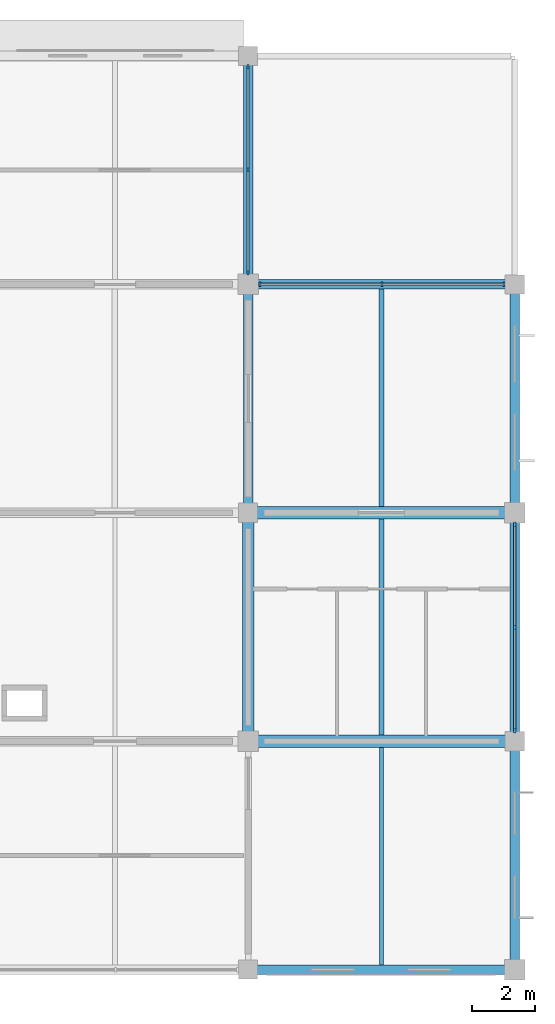
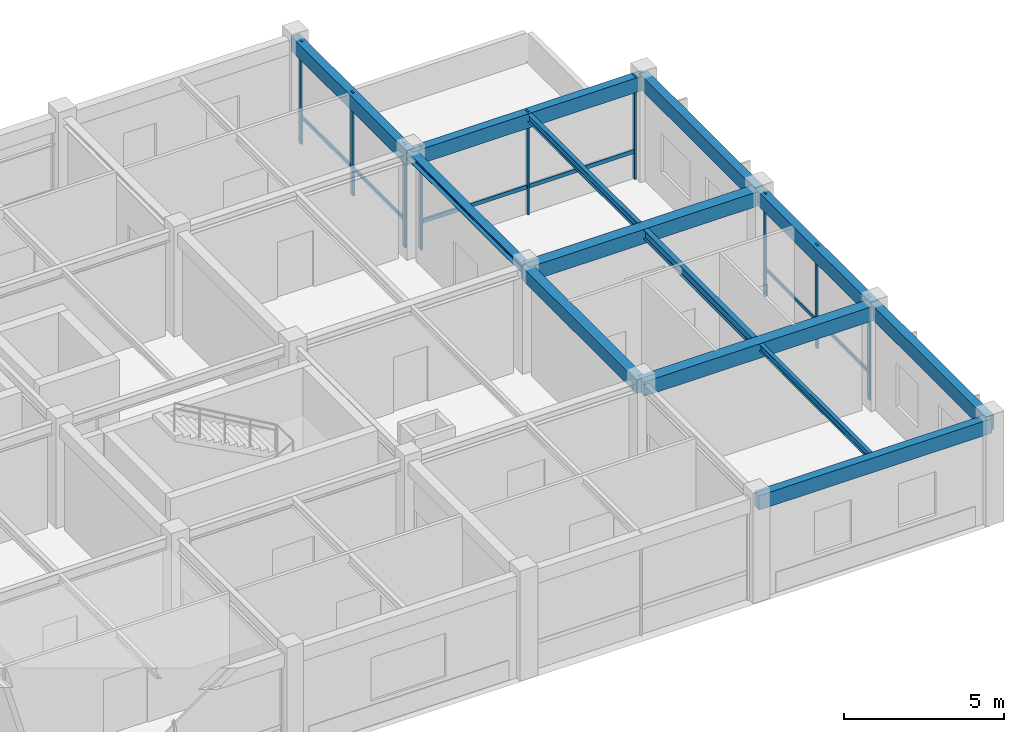
# One storey, part 6 of 13: 15 members, 13 beams, 3 elements without a shape of their own.
"""IFC4 building model written with IfcOpenShell, lengths in metres."""

from ifc_helpers import new_model, si_unit, derived_unit, direction, frame, origin, origin_2d, place, context, subcontext, project, spatial, rectangle, i_section, extrude, material, material_profile, profile_set, type_object, element, aggregate, save


model = new_model("IFC4")

# Units and contexts
model_context = context("Model", 3, precision=1e-05, world=origin(), true_north=direction((0.0, 1.0)))
body_context = subcontext(model_context, "Body", "Model", "MODEL_VIEW")
ifc_project = project(units=[si_unit("LENGTHUNIT", "METRE"), si_unit("AREAUNIT", "SQUARE_METRE"), si_unit("VOLUMEUNIT", "CUBIC_METRE"), si_unit("PLANEANGLEUNIT", "RADIAN"), si_unit("MASSUNIT", "GRAM", prefix="KILO"), derived_unit("THERMALTRANSMITTANCEUNIT", [(si_unit("MASSUNIT", "GRAM", prefix="KILO"), 1), (si_unit("TIMEUNIT", "SECOND"), -3), (si_unit("THERMODYNAMICTEMPERATUREUNIT", "KELVIN"), -1)])], contexts=[model_context])

# Site, building, storey
site_placement = place(None, origin())
site = spatial("IfcSite", under=ifc_project, at=site_placement, CompositionType="ELEMENT")
building_placement = place(site_placement, origin())
building = spatial("IfcBuilding", under=site, at=building_placement, Name="Veldstrom Oceanarium and Marine Research Institute", CompositionType="ELEMENT")
storey_placement = place(building_placement, frame((0.0, 0.0, 52.199951171875)))
storey = spatial("IfcBuildingStorey", under=building, at=storey_placement, Name="L11", CompositionType="ELEMENT", Elevation=52.199951171875)

# Curtain wall, members
ifc_material_1 = material(Name="Anodised Aluminium Framing", Category="aluminium")
curtain_wall_type_1 = type_object("IfcCurtainWallType", Name="ARC-CW-CW08", PredefinedType="USERDEFINED", material=ifc_material_1)
curtain_wall_1_placement = place(storey_placement, origin())
curtain_wall_1 = element("IfcCurtainWall", 1, at=curtain_wall_1_placement, inside=storey, type_object=curtain_wall_type_1, Name="Curtain Wall CW08 CW-L11-156", ObjectType="Curtain wall", PredefinedType="USERDEFINED")
ifc_material_2 = material(Name="Anodised Aluminium Framing", Category="aluminium")
ifc_material_profile_1 = material_profile(ifc_material_2, rectangle(XDim=0.06494140625, YDim=0.14990234375, at=origin_2d()), Name="ALU-MUL-65x150")
ifc_profile_set_1 = profile_set([ifc_material_profile_1], Name="Anodised Aluminium Framing")
member_type_1 = type_object("IfcMemberType", Name="ARC-MUL-ML2", PredefinedType="MULLION", material=ifc_profile_set_1)
member_1_placement = place(storey_placement, frame((109.199951171875, 65.1650390625, 0.0), z_axis=(0.0, 0.0, 1.0), x_axis=(1.0, 0.0, 0.0)))
member_1 = element("IfcMember", 2, at=member_1_placement, type_object=member_type_1, Name="Curtain Wall Mullion CW-L11-156-MUL-1", PredefinedType="MULLION", context=body_context, shape_type="SweptSolid", body=[
    extrude(rectangle(XDim=0.06494140625, YDim=0.14990234375, at=origin_2d()), origin(), (0.0, 0.0, 1.0), 3.920166015625),
])
member_2_placement = place(storey_placement, frame((109.199951171875, 68.41259765625, 0.0), z_axis=(0.0, 0.0, 1.0), x_axis=(1.0, 0.0, 0.0)))
member_2 = element("IfcMember", 3, at=member_2_placement, type_object=member_type_1, Name="Curtain Wall Mullion CW-L11-156-MUL-2", PredefinedType="MULLION", context=body_context, shape_type="SweptSolid", body=[
    extrude(rectangle(XDim=0.06494140625, YDim=0.14990234375, at=origin_2d()), origin(), (0.0, 0.0, 1.0), 3.920166015625),
])
member_3_placement = place(storey_placement, frame((109.199951171875, 71.659912109375, 0.0), z_axis=(0.0, 0.0, 1.0), x_axis=(1.0, 0.0, 0.0)))
member_3 = element("IfcMember", 4, at=member_3_placement, type_object=member_type_1, Name="Curtain Wall Mullion CW-L11-156-MUL-3", PredefinedType="MULLION", context=body_context, shape_type="SweptSolid", body=[
    extrude(rectangle(XDim=0.06494140625, YDim=0.14990234375, at=origin_2d()), origin(), (0.0, 0.0, 1.0), 3.920166015625),
])

curtain_wall_2_placement = place(storey_placement, origin())
curtain_wall_2 = element("IfcCurtainWall", 5, at=curtain_wall_2_placement, inside=storey, type_object=curtain_wall_type_1, Name="Curtain Wall CW08 CW-L11-157", ObjectType="Curtain wall", PredefinedType="USERDEFINED")
member_4_placement = place(storey_placement, frame((117.60009765625, 50.739990234375, 0.0), z_axis=(0.0, 0.0, 1.0), x_axis=(1.0, 0.0, 0.0)))
member_4 = element("IfcMember", 6, at=member_4_placement, type_object=member_type_1, Name="Curtain Wall Mullion CW-L11-157-MUL-1", PredefinedType="MULLION", context=body_context, shape_type="SweptSolid", body=[
    extrude(rectangle(XDim=0.06494140625, YDim=0.14990234375, at=origin_2d()), origin(), (0.0, 0.0, 1.0), 3.920166015625),
])
member_5_placement = place(storey_placement, frame((117.60009765625, 53.987548828125, 0.0), z_axis=(0.0, 0.0, 1.0), x_axis=(1.0, 0.0, 0.0)))
member_5 = element("IfcMember", 7, at=member_5_placement, type_object=member_type_1, Name="Curtain Wall Mullion CW-L11-157-MUL-2", PredefinedType="MULLION", context=body_context, shape_type="SweptSolid", body=[
    extrude(rectangle(XDim=0.06494140625, YDim=0.14990234375, at=origin_2d()), origin(), (0.0, 0.0, 1.0), 3.920166015625),
])
member_6_placement = place(storey_placement, frame((117.60009765625, 57.235107421875, 0.0), z_axis=(0.0, 0.0, 1.0), x_axis=(1.0, 0.0, 0.0)))
member_6 = element("IfcMember", 8, at=member_6_placement, type_object=member_type_1, Name="Curtain Wall Mullion CW-L11-157-MUL-3", PredefinedType="MULLION", context=body_context, shape_type="SweptSolid", body=[
    extrude(rectangle(XDim=0.06494140625, YDim=0.14990234375, at=origin_2d()), origin(), (0.0, 0.0, 1.0), 3.920166015625),
])

ifc_material_3 = material(Name="Anodised Aluminium Framing", Category="aluminium")
curtain_wall_type_2 = type_object("IfcCurtainWallType", Name="ARC-CW-CW04", PredefinedType="USERDEFINED", material=ifc_material_3)
curtain_wall_3_placement = place(storey_placement, origin())
curtain_wall_3 = element("IfcCurtainWall", 9, at=curtain_wall_3_placement, inside=storey, type_object=curtain_wall_type_2, Name="Curtain Wall CW04 CW-L11-158", ObjectType="Curtain wall", PredefinedType="USERDEFINED")
member_7_placement = place(storey_placement, frame((109.56494140625, 64.800048828125, 0.0), z_axis=(0.0, 0.0, 1.0), x_axis=(1.0, 0.0, 0.0)))
member_7 = element("IfcMember", 10, at=member_7_placement, type_object=member_type_1, Name="Curtain Wall Mullion CW-L11-158-MUL-1", PredefinedType="MULLION", context=body_context, shape_type="SweptSolid", body=[
    extrude(rectangle(XDim=0.06494140625, YDim=0.14990234375, at=origin_2d()), origin(), (0.0, 0.0, 1.0), 3.920166015625),
])
member_8_placement = place(storey_placement, frame((113.41259765625, 64.800048828125, 0.0), z_axis=(0.0, 0.0, 1.0), x_axis=(1.0, 0.0, 0.0)))
member_8 = element("IfcMember", 11, at=member_8_placement, type_object=member_type_1, Name="Curtain Wall Mullion CW-L11-158-MUL-2", PredefinedType="MULLION", context=body_context, shape_type="SweptSolid", body=[
    extrude(rectangle(XDim=0.06494140625, YDim=0.14990234375, at=origin_2d()), origin(), (0.0, 0.0, 1.0), 3.920166015625),
])
member_9_placement = place(storey_placement, frame((117.260009765625, 64.800048828125, 0.0), z_axis=(0.0, 0.0, 1.0), x_axis=(1.0, 0.0, 0.0)))
member_9 = element("IfcMember", 12, at=member_9_placement, type_object=member_type_1, Name="Curtain Wall Mullion CW-L11-158-MUL-3", PredefinedType="MULLION", context=body_context, shape_type="SweptSolid", body=[
    extrude(rectangle(XDim=0.06494140625, YDim=0.14990234375, at=origin_2d()), origin(), (0.0, 0.0, 1.0), 3.920166015625),
])
ifc_material_4 = material(Name="Anodised Aluminium Framing", Category="aluminium")
ifc_material_profile_2 = material_profile(ifc_material_4, rectangle(XDim=0.074951171875, YDim=0.14990234375, at=origin_2d()), Name="ALU-TRN-75x150")
ifc_profile_set_2 = profile_set([ifc_material_profile_2], Name="Anodised Aluminium Framing")
member_type_2 = type_object("IfcMemberType", Name="ARC-TRN-TR1", PredefinedType="USERDEFINED", material=ifc_profile_set_2)
member_10_placement = place(storey_placement, frame((109.60498046875, 64.800048828125, 1.050048828125), z_axis=(1.0, 0.0, 0.0), x_axis=(0.0, 1.0, 0.0)))
member_10 = element("IfcMember", 13, at=member_10_placement, type_object=member_type_2, Name="Curtain Wall Transom CW-L11-158-TRN-1", ObjectType="Transom", PredefinedType="USERDEFINED", context=body_context, shape_type="SweptSolid", body=[
    extrude(rectangle(XDim=0.074951171875, YDim=0.14990234375, at=origin_2d()), origin(), (0.0, 0.0, 1.0), 3.767578125),
])
member_11_placement = place(storey_placement, frame((113.452392578125, 64.800048828125, 1.050048828125), z_axis=(1.0, 0.0, 0.0), x_axis=(0.0, 1.0, 0.0)))
member_11 = element("IfcMember", 14, at=member_11_placement, type_object=member_type_2, Name="Curtain Wall Transom CW-L11-158-TRN-2", ObjectType="Transom", PredefinedType="USERDEFINED", context=body_context, shape_type="SweptSolid", body=[
    extrude(rectangle(XDim=0.074951171875, YDim=0.14990234375, at=origin_2d()), origin(), (0.0, 0.0, 1.0), 3.767578125),
])
aggregate(curtain_wall_3, [member_7, member_8, member_9, member_10, member_11])

# Member
ifc_material_5 = material(Name="Anodised Aluminium Framing", Category="aluminium")
ifc_material_profile_3 = material_profile(ifc_material_5, rectangle(XDim=0.06494140625, YDim=0.1201171875, at=origin_2d()), Name="ALU-TRN-65x120")
ifc_profile_set_3 = profile_set([ifc_material_profile_3], Name="Anodised Aluminium Framing")
member_type_3 = type_object("IfcMemberType", Name="ARC-TRN-TR2", PredefinedType="USERDEFINED", material=ifc_profile_set_3)
member_12_placement = place(storey_placement, frame((109.199951171875, 65.205078125, 1.050048828125), z_axis=(0.0, 1.0, 0.0), x_axis=(-1.0, 0.0, 0.0)))
member_12 = element("IfcMember", 15, at=member_12_placement, type_object=member_type_3, Name="Curtain Wall Transom CW-L11-156-TRN-1", ObjectType="Transom", PredefinedType="USERDEFINED", context=body_context, shape_type="SweptSolid", body=[
    extrude(rectangle(XDim=0.06494140625, YDim=0.1201171875, at=origin_2d()), origin(), (0.0, 0.0, 1.0), 3.16748046875),
])

member_13_placement = place(storey_placement, frame((109.199951171875, 68.452392578125, 1.050048828125), z_axis=(0.0, 1.0, 0.0), x_axis=(-1.0, 0.0, 0.0)))
member_13 = element("IfcMember", 16, at=member_13_placement, type_object=member_type_3, Name="Curtain Wall Transom CW-L11-156-TRN-2", ObjectType="Transom", PredefinedType="USERDEFINED", context=body_context, shape_type="SweptSolid", body=[
    extrude(rectangle(XDim=0.06494140625, YDim=0.1201171875, at=origin_2d()), origin(), (0.0, 0.0, 1.0), 3.167724609375),
])

aggregate(curtain_wall_1, [member_1, member_2, member_3, member_12, member_13])

member_14_placement = place(storey_placement, frame((117.60009765625, 50.780029296875, 1.050048828125), z_axis=(0.0, 1.0, 0.0), x_axis=(-1.0, 0.0, 0.0)))
member_14 = element("IfcMember", 17, at=member_14_placement, type_object=member_type_3, Name="Curtain Wall Transom CW-L11-157-TRN-1", ObjectType="Transom", PredefinedType="USERDEFINED", context=body_context, shape_type="SweptSolid", body=[
    extrude(rectangle(XDim=0.06494140625, YDim=0.1201171875, at=origin_2d()), origin(), (0.0, 0.0, 1.0), 3.16748046875),
])

member_15_placement = place(storey_placement, frame((117.60009765625, 54.027587890625, 1.050048828125), z_axis=(0.0, 1.0, 0.0), x_axis=(-1.0, 0.0, 0.0)))
member_15 = element("IfcMember", 18, at=member_15_placement, type_object=member_type_3, Name="Curtain Wall Transom CW-L11-157-TRN-2", ObjectType="Transom", PredefinedType="USERDEFINED", context=body_context, shape_type="SweptSolid", body=[
    extrude(rectangle(XDim=0.06494140625, YDim=0.1201171875, at=origin_2d()), origin(), (0.0, 0.0, 1.0), 3.16748046875),
])

aggregate(curtain_wall_2, [member_4, member_5, member_6, member_14, member_15])

# Beams
ifc_material_6 = material(Name="Concrete C40/50", Category="concrete")
ifc_material_profile_4 = material_profile(ifc_material_6, rectangle(XDim=0.39990234375, YDim=0.550048828125, at=origin_2d()), Name="RC-BM-400x550")
ifc_profile_set_4 = profile_set([ifc_material_profile_4], Name="Concrete C40/50")
beam_type_1 = type_object("IfcBeamType", Name="STR-BM-B07", PredefinedType="BEAM", material=ifc_profile_set_4)
for number, where, z_axis, x_axis, name in (
    (19, (109.199951171875, 50.39990234375, 3.64013671875), (1.0, 0.0, 0.0), (0.0, 1.0, 0.0), "Primary Beam B07 L11-2626"),
    (20, (109.199951171875, 57.60009765625, 3.64013671875), (1.0, 0.0, 0.0), (0.0, 1.0, 0.0), "Primary Beam B07 L11-2627"),
):
    element("IfcBeam", number, at=place(storey_placement, frame(where, z_axis=z_axis, x_axis=x_axis)), inside=storey, type_object=beam_type_1, Name=name, PredefinedType="BEAM", context=body_context, shape_type="SweptSolid", body=[
        extrude(rectangle(XDim=0.39990234375, YDim=0.550048828125, at=origin_2d()), origin(), (0.0, 0.0, 1.0), 8.400146484375),
    ])
ifc_material_7 = material(Name="Concrete C40/50", Category="concrete")
ifc_material_profile_5 = material_profile(ifc_material_7, rectangle(XDim=0.35009765625, YDim=0.5, at=origin_2d()), Name="RC-BM-350x500")
ifc_profile_set_5 = profile_set([ifc_material_profile_5], Name="Concrete C40/50")
beam_type_2 = type_object("IfcBeamType", Name="STR-BM-B08", PredefinedType="BEAM", material=ifc_profile_set_5)
beam_1_placement = place(storey_placement, frame((109.199951171875, 50.39990234375, 3.6650390625), z_axis=(0.0, 1.0, 0.0), x_axis=(-1.0, 0.0, 0.0)))
element("IfcBeam", 21, at=beam_1_placement, inside=storey, type_object=beam_type_2, Name="Primary Beam B08 L11-2646", PredefinedType="BEAM", context=body_context, shape_type="SweptSolid", body=[
    extrude(rectangle(XDim=0.35009765625, YDim=0.5, at=origin_2d()), origin(), (0.0, 0.0, 1.0), 7.2001953125),
])
ifc_material_8 = material(Name="Steel S355JR", Category="steel")
ifc_material_profile_6 = material_profile(ifc_material_8, i_section(OverallWidth=0.300048828125, OverallDepth=0.2900390625, WebThickness=0.008544921875, FlangeThickness=0.013916015625, FilletRadius=0.027099609375, at=origin_2d()), Name="HEA 300")
ifc_profile_set_6 = profile_set([ifc_material_profile_6], Name="Steel S355JR")
beam_type_3 = type_object("IfcBeamType", Name="STR-BM-SB10", PredefinedType="BEAM", material=ifc_profile_set_6)
beam_2_placement = place(storey_placement, frame((109.199951171875, 57.60009765625, 3.77001953125), z_axis=(0.0, 1.0, 0.0), x_axis=(-1.0, 0.0, 0.0)))
element("IfcBeam", 22, at=beam_2_placement, inside=storey, type_object=beam_type_3, Name="Steel Tie Beam SB10 L11-2647", PredefinedType="BEAM", context=body_context, shape_type="SweptSolid", body=[
    extrude(i_section(OverallWidth=0.300048828125, OverallDepth=0.2900390625, WebThickness=0.008544921875, FlangeThickness=0.013916015625, FilletRadius=0.027099609375, at=origin_2d()), origin(), (0.0, 0.0, 1.0), 7.199951171875),
])
ifc_material_9 = material(Name="Steel S355JR", Category="steel")
ifc_material_profile_7 = material_profile(ifc_material_9, i_section(OverallWidth=0.169921875, OverallDepth=0.360107421875, WebThickness=0.008056640625, FlangeThickness=0.0126953125, FilletRadius=0.01806640625, at=origin_2d()), Name="IPE 360")
ifc_profile_set_7 = profile_set([ifc_material_profile_7], Name="Steel S355JR")
beam_type_4 = type_object("IfcBeamType", Name="STR-JST-SJ1", PredefinedType="JOIST", material=ifc_profile_set_7)
beam_3_placement = place(storey_placement, frame((113.39990234375, 50.60009765625, 3.735107421875), z_axis=(0.0, 1.0, 0.0), x_axis=(-1.0, 0.0, 0.0)))
element("IfcBeam", 23, at=beam_3_placement, inside=storey, type_object=beam_type_4, Name="Secondary Joist SJ1 L11-2666", PredefinedType="JOIST", context=body_context, shape_type="SweptSolid", body=[
    extrude(i_section(OverallWidth=0.169921875, OverallDepth=0.360107421875, WebThickness=0.008056640625, FlangeThickness=0.0126953125, FilletRadius=0.01806640625, at=origin_2d()), origin(), (0.0, 0.0, 1.0), 6.7998046875),
])
ifc_material_10 = material(Name="Steel S355JR", Category="steel")
ifc_material_profile_8 = material_profile(ifc_material_10, i_section(OverallWidth=0.14990234375, OverallDepth=0.300048828125, WebThickness=0.007080078125, FlangeThickness=0.0107421875, FilletRadius=0.014892578125, at=origin_2d()), Name="IPE 300")
ifc_profile_set_8 = profile_set([ifc_material_profile_8], Name="Steel S355JR")
beam_type_5 = type_object("IfcBeamType", Name="STR-JST-SJ2", PredefinedType="JOIST", material=ifc_profile_set_8)
beam_4_placement = place(storey_placement, frame((113.39990234375, 57.800048828125, 3.76513671875), z_axis=(0.0, 1.0, 0.0), x_axis=(-1.0, 0.0, 0.0)))
element("IfcBeam", 24, at=beam_4_placement, inside=storey, type_object=beam_type_5, Name="Secondary Joist SJ2 L11-2667", PredefinedType="JOIST", context=body_context, shape_type="SweptSolid", body=[
    extrude(i_section(OverallWidth=0.14990234375, OverallDepth=0.300048828125, WebThickness=0.007080078125, FlangeThickness=0.0107421875, FilletRadius=0.014892578125, at=origin_2d()), origin(), (0.0, 0.0, 1.0), 6.849853515625),
])
ifc_material_11 = material(Name="Steel S355JR", Category="steel")
ifc_material_profile_9 = material_profile(ifc_material_11, i_section(OverallWidth=0.135009765625, OverallDepth=0.27001953125, WebThickness=0.006591796875, FlangeThickness=0.01025390625, FilletRadius=0.014892578125, at=origin_2d()), Name="IPE 270")
ifc_profile_set_9 = profile_set([ifc_material_profile_9], Name="Steel S355JR")
beam_type_6 = type_object("IfcBeamType", Name="STR-JST-SJ3", PredefinedType="JOIST", material=ifc_profile_set_9)
beam_5_placement = place(storey_placement, frame((113.39990234375, 43.35009765625, 3.780029296875), z_axis=(0.0, 1.0, 0.0), x_axis=(-1.0, 0.0, 0.0)))
element("IfcBeam", 25, at=beam_5_placement, inside=storey, type_object=beam_type_6, Name="Secondary Joist SJ3 L11-2665", PredefinedType="JOIST", context=body_context, shape_type="SweptSolid", body=[
    extrude(i_section(OverallWidth=0.135009765625, OverallDepth=0.27001953125, WebThickness=0.006591796875, FlangeThickness=0.01025390625, FilletRadius=0.014892578125, at=origin_2d()), origin(), (0.0, 0.0, 1.0), 6.849853515625),
])
ifc_material_12 = material(Name="Concrete C40/50", Category="concrete")
ifc_material_profile_10 = material_profile(ifc_material_12, rectangle(XDim=0.300048828125, YDim=0.550048828125, at=origin_2d()), Name="RC-SPN-300x550")
ifc_profile_set_10 = profile_set([ifc_material_profile_10], Name="Concrete C40/50")
beam_type_7 = type_object("IfcBeamType", Name="STR-SPN-SP2", PredefinedType="SPANDREL", material=ifc_profile_set_10)
for number, where, z_axis, x_axis, name in (
    (26, (109.199951171875, 43.199951171875, 3.64013671875), (1.0, 0.0, 0.0), (0.0, 1.0, 0.0), "Perimeter Spandrel SPB2 L11-2625"),
    (27, (109.199951171875, 64.800048828125, 3.64013671875), (1.0, 0.0, 0.0), (0.0, 1.0, 0.0), "Perimeter Spandrel SPB2 L11-2628"),
):
    element("IfcBeam", number, at=place(storey_placement, frame(where, z_axis=z_axis, x_axis=x_axis)), inside=storey, type_object=beam_type_7, Name=name, PredefinedType="SPANDREL", context=body_context, shape_type="SweptSolid", body=[
        extrude(rectangle(XDim=0.300048828125, YDim=0.550048828125, at=origin_2d()), origin(), (0.0, 0.0, 1.0), 8.400146484375),
    ])
for number, where, z_axis, x_axis, name in (
    (28, (109.199951171875, 64.800048828125, 3.64013671875), (0.0, 1.0, 0.0), (-1.0, 0.0, 0.0), "Perimeter Spandrel SPB2 L11-2648"),
    (29, (117.60009765625, 43.199951171875, 3.64013671875), (0.0, 1.0, 0.0), (-1.0, 0.0, 0.0), "Perimeter Spandrel SPB2 L11-2649"),
):
    element("IfcBeam", number, at=place(storey_placement, frame(where, z_axis=z_axis, x_axis=x_axis)), inside=storey, type_object=beam_type_7, Name=name, PredefinedType="SPANDREL", context=body_context, shape_type="SweptSolid", body=[
        extrude(rectangle(XDim=0.300048828125, YDim=0.550048828125, at=origin_2d()), origin(), (0.0, 0.0, 1.0), 7.199951171875),
    ])
beam_6_placement = place(storey_placement, frame((117.60009765625, 50.39990234375, 3.64013671875), z_axis=(0.0, 1.0, 0.0), x_axis=(-1.0, 0.0, 0.0)))
element("IfcBeam", 30, at=beam_6_placement, inside=storey, type_object=beam_type_7, Name="Perimeter Spandrel SPB2 L11-2650", PredefinedType="SPANDREL", context=body_context, shape_type="SweptSolid", body=[
    extrude(rectangle(XDim=0.300048828125, YDim=0.550048828125, at=origin_2d()), origin(), (0.0, 0.0, 1.0), 7.2001953125),
])
beam_7_placement = place(storey_placement, frame((117.60009765625, 57.60009765625, 3.64013671875), z_axis=(0.0, 1.0, 0.0), x_axis=(-1.0, 0.0, 0.0)))
element("IfcBeam", 31, at=beam_7_placement, inside=storey, type_object=beam_type_7, Name="Perimeter Spandrel SPB2 L11-2651", PredefinedType="SPANDREL", context=body_context, shape_type="SweptSolid", body=[
    extrude(rectangle(XDim=0.300048828125, YDim=0.550048828125, at=origin_2d()), origin(), (0.0, 0.0, 1.0), 7.199951171875),
])

save(model, "model.ifc")
